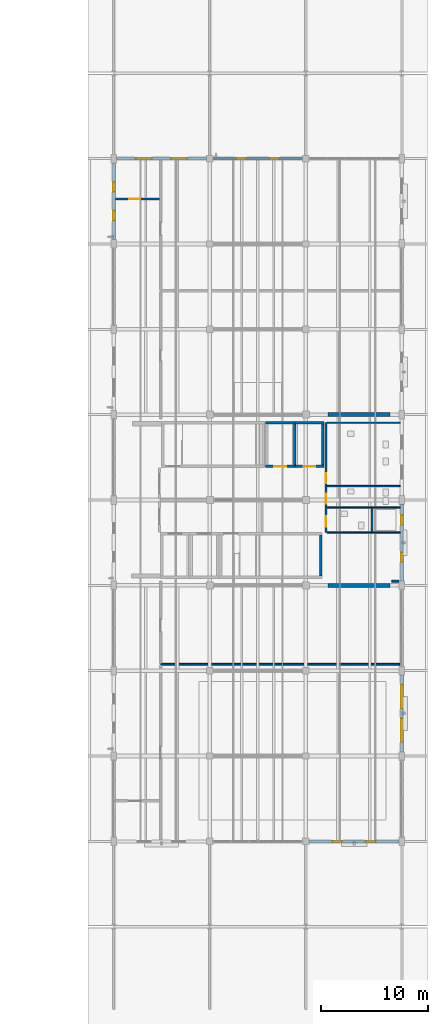
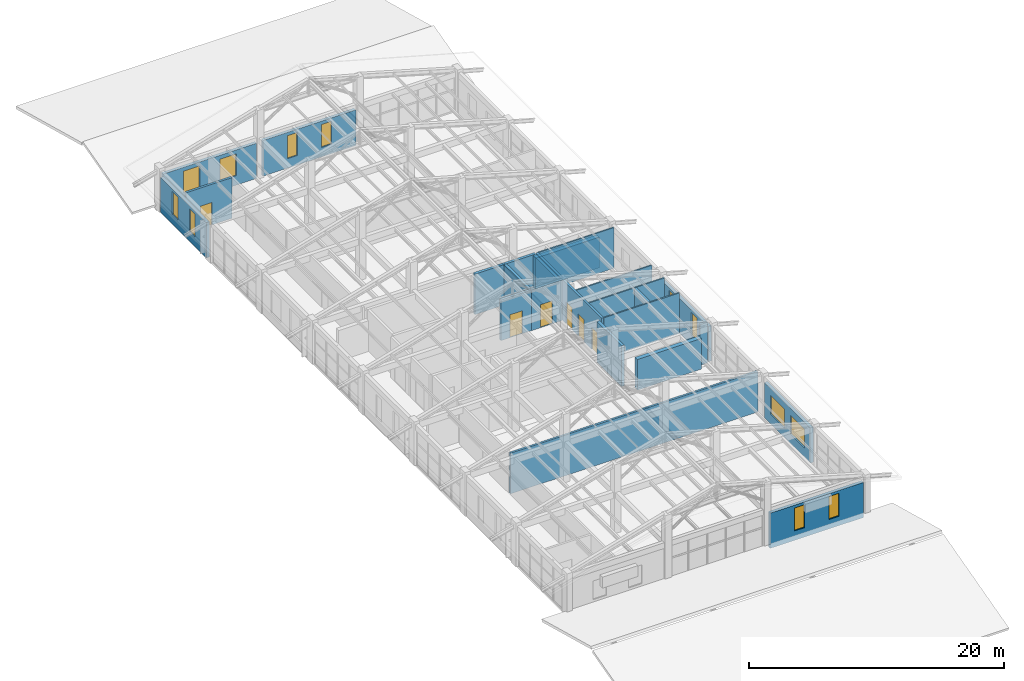
# One storey, part 48 of 58: 24 walls, 12 windows, 6 doors, 18 openings.
"""IFC4 building model written with IfcOpenShell, lengths in metres."""

import ifcopenshell
import ifcopenshell.guid

model = None  # the IFC model being written
_history = None  # IfcOwnerHistory: only IFC2X3 demands one
_inside = {}  # id of a spatial element -> (the spatial element, [elements in it])
_under = {}  # id of a project, library or spatial element -> (it, [spatial elements below it])
_declared = {}  # id of a project -> (the project, [libraries it declares])
_typed = {}  # id of a type object -> (the type object, [elements of that type])
_made_of = {}  # id of a material, layer set ... -> (it, [elements and type objects made of it])


def new_model(schema):
    """Start an empty IFC model of exactly this schema.

    Asked for "IFC4X3", IfcOpenShell would pick the latest addendum, in which some entities
    have other attributes; the version numbers below select the first issue.
    IFC2X3 requires an IfcOwnerHistory on every rooted entity: one is made here for all.
    """
    global model, _history
    if schema == "IFC4X3":
        model = ifcopenshell.file(schema_version=(4, 3, 0, 0))
    else:
        model = ifcopenshell.file(schema=schema)
    _inside.clear()
    _under.clear()
    _declared.clear()
    _typed.clear()
    _made_of.clear()
    _history = None
    if model.schema == "IFC2X3":
        org = make("IfcOrganization", Name="unknown")
        user = make(
            "IfcPersonAndOrganization",
            ThePerson=make("IfcPerson", FamilyName="unknown"),
            TheOrganization=org,
        )
        app = make(
            "IfcApplication",
            ApplicationDeveloper=org,
            Version="unknown",
            ApplicationFullName="unknown",
            ApplicationIdentifier="unknown",
        )
        _history = make(
            "IfcOwnerHistory",
            OwningUser=user,
            OwningApplication=app,
            ChangeAction="ADDED",
            CreationDate=0,
        )
    return model


def make(cls, **values):
    """One entity of the class cls with the attributes given. An attribute that is None is left unset."""
    return model.create_entity(
        cls, **{name: value for name, value in values.items() if value is not None}
    )


def rooted(cls, **values):
    """An entity with a GlobalId (a new one), such as an element, a storey or a relation."""
    return make(cls, GlobalId=ifcopenshell.guid.new(), OwnerHistory=_history, **values)


def si_unit(unit_type, name, prefix=None):
    """IfcSIUnit, for example si_unit("LENGTHUNIT", "METRE", prefix="MILLI")."""
    return make("IfcSIUnit", UnitType=unit_type, Prefix=prefix, Name=name)


def derived_unit(unit_type, elements):
    """IfcDerivedUnit: a product of units, each with its exponent."""
    return make(
        "IfcDerivedUnit",
        Elements=[
            make("IfcDerivedUnitElement", Unit=unit, Exponent=power)
            for unit, power in elements
        ],
        UnitType=unit_type,
    )


def assignment(units):
    """IfcUnitAssignment: the units of a project."""
    return None if units is None else make("IfcUnitAssignment", Units=units)


def point(xyz):
    """IfcCartesianPoint."""
    return None if xyz is None else make("IfcCartesianPoint", Coordinates=xyz)


def direction(xyz):
    """IfcDirection."""
    return None if xyz is None else make("IfcDirection", DirectionRatios=xyz)


def frame(location, z_axis=None, x_axis=None):
    """IfcAxis2Placement3D, a coordinate frame: its origin and axes. An axis left out is left unset."""
    return make(
        "IfcAxis2Placement3D",
        Location=point(location),
        Axis=direction(z_axis),
        RefDirection=direction(x_axis),
    )


def frame_2d(location, x_axis=None):
    """IfcAxis2Placement2D, a coordinate frame in the plane: its origin and x axis."""
    return make(
        "IfcAxis2Placement2D", Location=point(location), RefDirection=direction(x_axis)
    )


def origin():
    """The frame at (0, 0, 0) with its axes left unset."""
    return frame((0.0, 0.0, 0.0))


def place(relative_to, where):
    """IfcLocalPlacement: puts the frame where relative to a parent placement (None: the world)."""
    return make(
        "IfcLocalPlacement", PlacementRelTo=relative_to, RelativePlacement=where
    )


def context(
    kind, dimensions, precision=None, world=None, true_north=None, identifier=None
):
    """IfcGeometricRepresentationContext, for example the 3D "Model" context."""
    return make(
        "IfcGeometricRepresentationContext",
        ContextIdentifier=identifier,
        ContextType=kind,
        CoordinateSpaceDimension=dimensions,
        Precision=precision,
        WorldCoordinateSystem=world,
        TrueNorth=true_north,
    )


def subcontext(parent, identifier, kind, view, scale=None):
    """IfcGeometricRepresentationSubContext, for example "Body" below "Model"."""
    return make(
        "IfcGeometricRepresentationSubContext",
        ContextIdentifier=identifier,
        ContextType=kind,
        ParentContext=parent,
        TargetScale=scale,
        TargetView=view,
    )


def project(units=None, contexts=None):
    """IfcProject with its units and contexts."""
    return rooted(
        "IfcProject",
        Name="project",
        RepresentationContexts=contexts,
        UnitsInContext=assignment(units),
    )


def spatial(cls, under=None, at=None, **own):
    """A site, building, storey or space (cls), placed at a placement, below another one or the project."""
    s = rooted(cls, ObjectPlacement=at, **own)
    if under is not None:
        _under.setdefault(under.id(), (under, []))[1].append(s)
    return s


def profile(cls, at=None, kind="AREA", **sizes):
    """A parametric profile (cls). Its sizes go by their IFC names, for example OverallWidth=200.0."""
    return make(cls, ProfileType=kind, Position=at, **sizes)


def rectangle(**sizes):
    """IfcRectangleProfileDef."""
    return profile("IfcRectangleProfileDef", **sizes)


def extrude(swept, where, along, depth):
    """IfcExtrudedAreaSolid: the profile swept, set in the frame where, extruded along a direction by depth."""
    return make(
        "IfcExtrudedAreaSolid",
        SweptArea=swept,
        Position=where,
        ExtrudedDirection=direction(along),
        Depth=depth,
    )


def shape(context_of_items, identifier, shape_type, items):
    """IfcShapeRepresentation: the items that make up one representation, for example the "Body"."""
    return make(
        "IfcShapeRepresentation",
        ContextOfItems=context_of_items,
        RepresentationIdentifier=identifier,
        RepresentationType=shape_type,
        Items=items,
    )


def material(Name=None, Category=None):
    """IfcMaterial."""
    return make("IfcMaterial", Name=Name, Category=Category)


def layer(
    of_material, thickness, ventilated=None, Name=None, Category=None, Priority=None
):
    """IfcMaterialLayer: one layer of a wall or slab, of a material (None: an air gap)."""
    return make(
        "IfcMaterialLayer",
        Material=of_material,
        LayerThickness=thickness,
        IsVentilated=ventilated,
        Name=Name,
        Category=Category,
        Priority=Priority,
    )


def layer_set(layers, Name=None):
    """IfcMaterialLayerSet."""
    return make("IfcMaterialLayerSet", MaterialLayers=layers, LayerSetName=Name)


def made_of(thing, what):
    """Note that an element or type object is made of a material, layer set ...; save() writes the relation."""
    if what is not None:
        _made_of.setdefault(what.id(), (what, []))[1].append(thing)
    return thing


def type_object(cls, material=None, **own):
    """A type object (cls), such as IfcWallType, which elements share."""
    return made_of(rooted(cls, **own), material)


def element(
    cls,
    number,
    at=None,
    inside=None,
    cuts=None,
    type_object=None,
    material=None,
    context=None,
    identifier="Body",
    shape_type=None,
    held_by="IfcProductDefinitionShape",
    body=None,
    shapes=None,
    **own,
):
    """One element of the class cls, such as IfcWall. Its Tag is "e" and its number.

    at: its placement. inside: the storey or other place that contains it. cuts: it is an
    opening in that element (IfcRelVoidsElement). A single representation is given by context,
    identifier, shape_type and body (its items); several are given by shapes. held_by: the class
    of the entity that holds the representations. save() writes the other relations.
    """
    e = rooted(cls, Tag="e%d" % number, ObjectPlacement=at, **own)
    if body is not None:
        shapes = [shape(context, identifier, shape_type, body)]
    if shapes is not None:
        e.Representation = make(held_by, Representations=shapes)
    if inside is not None:
        _inside.setdefault(inside.id(), (inside, []))[1].append(e)
    if cuts is not None:
        rooted(
            "IfcRelVoidsElement", RelatingBuildingElement=cuts, RelatedOpeningElement=e
        )
    if type_object is not None:
        _typed.setdefault(type_object.id(), (type_object, []))[1].append(e)
    return made_of(e, material)


def fill(opening, filler):
    """IfcRelFillsElement: the door or window that sits in an opening."""
    return rooted(
        "IfcRelFillsElement",
        RelatingOpeningElement=opening,
        RelatedBuildingElement=filler,
    )


def aggregate(whole, parts):
    """IfcRelAggregates: a whole, such as a stair, and the parts it consists of."""
    return rooted("IfcRelAggregates", RelatingObject=whole, RelatedObjects=parts)


def save(model, path):
    """Write the relations noted so far, then the file.

    IfcRelAggregates (storeys below a building ...), IfcRelContainedInSpatialStructure (elements
    in a storey), IfcRelDefinesByType, IfcRelAssociatesMaterial and IfcRelDeclares: one each for
    every whole, place, type object, material and project.
    """
    for whole, parts in _under.values():
        aggregate(whole, parts)
    for where, things in _inside.values():
        rooted(
            "IfcRelContainedInSpatialStructure",
            RelatedElements=things,
            RelatingStructure=where,
        )
    for kind, things in _typed.values():
        rooted("IfcRelDefinesByType", RelatedObjects=things, RelatingType=kind)
    for what, things in _made_of.values():
        rooted("IfcRelAssociatesMaterial", RelatedObjects=things, RelatingMaterial=what)
    for by, libraries in _declared.values():
        rooted("IfcRelDeclares", RelatingContext=by, RelatedDefinitions=libraries)
    model.write(path)


model = new_model("IFC4")

# Units and contexts
model_context = context("Model", 3, precision=1e-05, world=origin(), true_north=direction((0.0, 1.0)))
body_context = subcontext(model_context, "Body", "Model", "MODEL_VIEW")
ifc_project = project(units=[si_unit("LENGTHUNIT", "METRE"), si_unit("AREAUNIT", "SQUARE_METRE"), si_unit("VOLUMEUNIT", "CUBIC_METRE"), si_unit("PLANEANGLEUNIT", "RADIAN"), si_unit("MASSUNIT", "GRAM", prefix="KILO"), derived_unit("THERMALTRANSMITTANCEUNIT", [(si_unit("MASSUNIT", "GRAM", prefix="KILO"), 1), (si_unit("TIMEUNIT", "SECOND"), -3), (si_unit("THERMODYNAMICTEMPERATUREUNIT", "KELVIN"), -1)])], contexts=[model_context])

# Site, building, storey
site_placement = place(None, origin())
site = spatial("IfcSite", under=ifc_project, at=site_placement, CompositionType="ELEMENT")
building_placement = place(site_placement, origin())
building = spatial("IfcBuilding", under=site, at=building_placement, Name="Zhenchuan Archway Interchange", CompositionType="ELEMENT")
storey_placement = place(building_placement, frame((0.0, 0.0, 22.800048828125)))
storey = spatial("IfcBuildingStorey", under=building, at=storey_placement, Name="L05", CompositionType="ELEMENT", Elevation=22.800048828125)

# Wall, openings, windows
ifc_material_1 = material(Name="Terracotta Masonry", Category="masonry")
ifc_layer_1 = layer(ifc_material_1, 0.280029296875)
ifc_layer_set_1 = layer_set([ifc_layer_1], Name="Terracotta Masonry")
wall_type_1 = type_object("IfcWallType", Name="EW_TERRA_280", PredefinedType="STANDARD", material=ifc_layer_set_1)
wall_1_placement = place(storey_placement, frame((170.751953125, 24.0, 0.0), z_axis=(0.0, 0.0, 1.0), x_axis=(-1.0, 0.0, 0.0)))
wall_1 = element("IfcWall", 1, at=wall_1_placement, inside=storey, type_object=wall_type_1, Name="Exterior wall L05-001", PredefinedType="STANDARD", context=body_context, shape_type="SweptSolid", body=[
    extrude(rectangle(XDim=8.453857421875, YDim=0.280029296875, at=frame_2d((4.22705078125, 0.0))), origin(), (0.0, 0.0, 1.0), 3.369873046875),
])
opening_1_placement = place(wall_1_placement, frame((2.218017578125, 0.0, 0.89990234375)))
opening_1 = element("IfcOpeningElement", 2, at=opening_1_placement, cuts=wall_1, Name="Opening W-12", PredefinedType="OPENING", context=body_context, shape_type="SweptSolid", body=[
    extrude(rectangle(XDim=0.89990234375, YDim=2.199951171875, at=frame_2d((0.449951171875, 1.10009765625))), frame((0.0, 0.15185546875, 0.0), z_axis=(0.0, -1.0, 0.0), x_axis=(1.0, 0.0, 0.0)), (0.0, 0.0, 1.0), 0.303955078125),
])
opening_2_placement = place(wall_1_placement, frame((5.3359375, 0.0, 0.89990234375)))
opening_2 = element("IfcOpeningElement", 3, at=opening_2_placement, cuts=wall_1, Name="Opening W-12", PredefinedType="OPENING", context=body_context, shape_type="SweptSolid", body=[
    extrude(rectangle(XDim=0.89990234375, YDim=2.199951171875, at=frame_2d((0.449951171875, 1.10009765625))), frame((0.0, 0.15185546875, 0.0), z_axis=(0.0, -1.0, 0.0), x_axis=(1.0, 0.0, 0.0)), (0.0, 0.0, 1.0), 0.303955078125),
])
ifc_material_2 = material(Name="Double Low-E Insulated Glazing", Category="glass")
window_type_1 = type_object("IfcWindowType", Name="WN_SLOT_900x2200", PartitioningType="SINGLE_PANEL", PredefinedType="WINDOW", material=ifc_material_2)
window_1_placement = place(opening_1_placement, origin())
window_1 = element("IfcWindow", 4, at=window_1_placement, inside=storey, type_object=window_type_1, Name="Window L05-0337", OverallHeight=2.199951171875, OverallWidth=0.89990234375, PartitioningType="SINGLE_PANEL", PredefinedType="WINDOW", context=body_context, shape_type="SweptSolid", body=[
    extrude(rectangle(XDim=0.89990234375, YDim=2.199951171875, at=frame_2d((0.449951171875, 1.10009765625))), frame((0.0, 0.030029296875, 0.0), z_axis=(0.0, -1.0, 0.0), x_axis=(1.0, 0.0, 0.0)), (0.0, 0.0, 1.0), 0.06005859375),
])
fill(opening_1, window_1)
window_2_placement = place(opening_2_placement, origin())
window_2 = element("IfcWindow", 5, at=window_2_placement, inside=storey, type_object=window_type_1, Name="Window L05-0338", OverallHeight=2.199951171875, OverallWidth=0.89990234375, PartitioningType="SINGLE_PANEL", PredefinedType="WINDOW", context=body_context, shape_type="SweptSolid", body=[
    extrude(rectangle(XDim=0.89990234375, YDim=2.199951171875, at=frame_2d((0.449951171875, 1.10009765625))), frame((0.0, 0.030029296875, 0.0), z_axis=(0.0, -1.0, 0.0), x_axis=(1.0, 0.0, 0.0)), (0.0, 0.0, 1.0), 0.06005859375),
])
fill(opening_2, window_2)

wall_2_placement = place(storey_placement, frame((144.0, 80.39794921875, 0.0), z_axis=(0.0, 0.0, 1.0), x_axis=(0.0, 1.0, 0.0)))
wall_2 = element("IfcWall", 6, at=wall_2_placement, inside=storey, type_object=wall_type_1, Name="Exterior wall L05-011", PredefinedType="STANDARD", context=body_context, shape_type="SweptSolid", body=[
    extrude(rectangle(XDim=7.2041015625, YDim=0.280029296875, at=frame_2d((3.60205078125, 0.0))), origin(), (0.0, 0.0, 1.0), 3.369873046875),
])
opening_3_placement = place(wall_2_placement, frame((1.80126953125, 0.0, 0.89990234375)))
opening_3 = element("IfcOpeningElement", 7, at=opening_3_placement, cuts=wall_2, Name="Opening W-12", PredefinedType="OPENING", context=body_context, shape_type="SweptSolid", body=[
    extrude(rectangle(XDim=0.89990234375, YDim=2.199951171875, at=frame_2d((0.449951171875, 1.10009765625))), frame((0.0, 0.15185546875, 0.0), z_axis=(0.0, -1.0, 0.0), x_axis=(1.0, 0.0, 0.0)), (0.0, 0.0, 1.0), 0.303955078125),
])
opening_4_placement = place(wall_2_placement, frame((4.502685546875, 0.0, 0.89990234375)))
opening_4 = element("IfcOpeningElement", 8, at=opening_4_placement, cuts=wall_2, Name="Opening W-12", PredefinedType="OPENING", context=body_context, shape_type="SweptSolid", body=[
    extrude(rectangle(XDim=0.89990234375, YDim=2.199951171875, at=frame_2d((0.449951171875, 1.10009765625))), frame((0.0, 0.15185546875, 0.0), z_axis=(0.0, -1.0, 0.0), x_axis=(1.0, 0.0, 0.0)), (0.0, 0.0, 1.0), 0.303955078125),
])
window_3_placement = place(opening_3_placement, origin())
window_3 = element("IfcWindow", 9, at=window_3_placement, inside=storey, type_object=window_type_1, Name="Window L05-0347", OverallHeight=2.199951171875, OverallWidth=0.89990234375, PartitioningType="SINGLE_PANEL", PredefinedType="WINDOW", context=body_context, shape_type="SweptSolid", body=[
    extrude(rectangle(XDim=0.89990234375, YDim=2.199951171875, at=frame_2d((0.449951171875, 1.10009765625))), frame((0.0, 0.030029296875, 0.0), z_axis=(0.0, -1.0, 0.0), x_axis=(1.0, 0.0, 0.0)), (0.0, 0.0, 1.0), 0.06005859375),
])
fill(opening_3, window_3)
window_4_placement = place(opening_4_placement, origin())
window_4 = element("IfcWindow", 10, at=window_4_placement, inside=storey, type_object=window_type_1, Name="Window L05-0348", OverallHeight=2.199951171875, OverallWidth=0.89990234375, PartitioningType="SINGLE_PANEL", PredefinedType="WINDOW", context=body_context, shape_type="SweptSolid", body=[
    extrude(rectangle(XDim=0.89990234375, YDim=2.199951171875, at=frame_2d((0.449951171875, 1.10009765625))), frame((0.0, 0.030029296875, 0.0), z_axis=(0.0, -1.0, 0.0), x_axis=(1.0, 0.0, 0.0)), (0.0, 0.0, 1.0), 0.06005859375),
])
fill(opening_4, window_4)

wall_3_placement = place(storey_placement, frame((144.248046875, 88.0, 0.0), z_axis=(0.0, 0.0, 1.0), x_axis=(1.0, 0.0, 0.0)))
wall_3 = element("IfcWall", 11, at=wall_3_placement, inside=storey, type_object=wall_type_1, Name="Exterior wall L05-012", PredefinedType="STANDARD", context=body_context, shape_type="SweptSolid", body=[
    extrude(rectangle(XDim=8.453857421875, YDim=0.280029296875, at=frame_2d((4.22705078125, 0.0))), origin(), (0.0, 0.0, 1.0), 3.369873046875),
])
opening_5_placement = place(wall_3_placement, frame((1.818115234375, 0.0, 0.89990234375)))
opening_5 = element("IfcOpeningElement", 12, at=opening_5_placement, cuts=wall_3, Name="Opening W-05", PredefinedType="OPENING", context=body_context, shape_type="SweptSolid", body=[
    extrude(rectangle(XDim=1.5, YDim=2.10009765625, at=frame_2d((0.75, 1.050048828125))), frame((0.0, 0.15185546875, 0.0), z_axis=(0.0, -1.0, 0.0), x_axis=(1.0, 0.0, 0.0)), (0.0, 0.0, 1.0), 0.303955078125),
])
opening_6_placement = place(wall_3_placement, frame((5.135986328125, 0.0, 0.89990234375)))
opening_6 = element("IfcOpeningElement", 13, at=opening_6_placement, cuts=wall_3, Name="Opening W-05", PredefinedType="OPENING", context=body_context, shape_type="SweptSolid", body=[
    extrude(rectangle(XDim=1.5, YDim=2.10009765625, at=frame_2d((0.75, 1.050048828125))), frame((0.0, 0.15185546875, 0.0), z_axis=(0.0, -1.0, 0.0), x_axis=(1.0, 0.0, 0.0)), (0.0, 0.0, 1.0), 0.303955078125),
])
window_type_2 = type_object("IfcWindowType", Name="WN_PUNCH_1500x2100", PartitioningType="SINGLE_PANEL", PredefinedType="WINDOW", material=ifc_material_2)
window_5_placement = place(opening_5_placement, origin())
window_5 = element("IfcWindow", 14, at=window_5_placement, inside=storey, type_object=window_type_2, Name="Window L05-0349", OverallHeight=2.10009765625, OverallWidth=1.5, PartitioningType="SINGLE_PANEL", PredefinedType="WINDOW", context=body_context, shape_type="SweptSolid", body=[
    extrude(rectangle(XDim=1.5, YDim=2.10009765625, at=frame_2d((0.75, 1.050048828125))), frame((0.0, 0.030029296875, 0.0), z_axis=(0.0, -1.0, 0.0), x_axis=(1.0, 0.0, 0.0)), (0.0, 0.0, 1.0), 0.06005859375),
])
fill(opening_5, window_5)
window_6_placement = place(opening_6_placement, origin())
window_6 = element("IfcWindow", 15, at=window_6_placement, inside=storey, type_object=window_type_2, Name="Window L05-0350", OverallHeight=2.10009765625, OverallWidth=1.5, PartitioningType="SINGLE_PANEL", PredefinedType="WINDOW", context=body_context, shape_type="SweptSolid", body=[
    extrude(rectangle(XDim=1.5, YDim=2.10009765625, at=frame_2d((0.75, 1.050048828125))), frame((0.0, 0.030029296875, 0.0), z_axis=(0.0, -1.0, 0.0), x_axis=(1.0, 0.0, 0.0)), (0.0, 0.0, 1.0), 0.06005859375),
])
fill(opening_6, window_6)

wall_4_placement = place(storey_placement, frame((153.298095703125, 88.0, 0.0), z_axis=(0.0, 0.0, 1.0), x_axis=(1.0, 0.0, 0.0)))
wall_4 = element("IfcWall", 16, at=wall_4_placement, inside=storey, type_object=wall_type_1, Name="Exterior wall L05-013", PredefinedType="STANDARD", context=body_context, shape_type="SweptSolid", body=[
    extrude(rectangle(XDim=8.40380859375, YDim=0.280029296875, at=frame_2d((4.201904296875, 0.0))), origin(), (0.0, 0.0, 1.0), 3.419921875),
])
opening_7_placement = place(wall_4_placement, frame((2.201416015625, 0.0, 0.89990234375)))
opening_7 = element("IfcOpeningElement", 17, at=opening_7_placement, cuts=wall_4, Name="Opening W-12", PredefinedType="OPENING", context=body_context, shape_type="SweptSolid", body=[
    extrude(rectangle(XDim=0.89990234375, YDim=2.199951171875, at=frame_2d((0.449951171875, 1.10009765625))), frame((0.0, 0.15185546875, 0.0), z_axis=(0.0, -1.0, 0.0), x_axis=(1.0, 0.0, 0.0)), (0.0, 0.0, 1.0), 0.303955078125),
])
opening_8_placement = place(wall_4_placement, frame((5.302734375, 0.0, 0.89990234375)))
opening_8 = element("IfcOpeningElement", 18, at=opening_8_placement, cuts=wall_4, Name="Opening W-12", PredefinedType="OPENING", context=body_context, shape_type="SweptSolid", body=[
    extrude(rectangle(XDim=0.89990234375, YDim=2.199951171875, at=frame_2d((0.449951171875, 1.10009765625))), frame((0.0, 0.15185546875, 0.0), z_axis=(0.0, -1.0, 0.0), x_axis=(1.0, 0.0, 0.0)), (0.0, 0.0, 1.0), 0.303955078125),
])
window_7_placement = place(opening_7_placement, origin())
window_7 = element("IfcWindow", 19, at=window_7_placement, inside=storey, type_object=window_type_1, Name="Window L05-0351", OverallHeight=2.199951171875, OverallWidth=0.89990234375, PartitioningType="SINGLE_PANEL", PredefinedType="WINDOW", context=body_context, shape_type="SweptSolid", body=[
    extrude(rectangle(XDim=0.89990234375, YDim=2.199951171875, at=frame_2d((0.449951171875, 1.10009765625))), frame((0.0, 0.030029296875, 0.0), z_axis=(0.0, -1.0, 0.0), x_axis=(1.0, 0.0, 0.0)), (0.0, 0.0, 1.0), 0.06005859375),
])
fill(opening_7, window_7)
window_8_placement = place(opening_8_placement, origin())
window_8 = element("IfcWindow", 20, at=window_8_placement, inside=storey, type_object=window_type_1, Name="Window L05-0352", OverallHeight=2.199951171875, OverallWidth=0.89990234375, PartitioningType="SINGLE_PANEL", PredefinedType="WINDOW", context=body_context, shape_type="SweptSolid", body=[
    extrude(rectangle(XDim=0.89990234375, YDim=2.199951171875, at=frame_2d((0.449951171875, 1.10009765625))), frame((0.0, 0.030029296875, 0.0), z_axis=(0.0, -1.0, 0.0), x_axis=(1.0, 0.0, 0.0)), (0.0, 0.0, 1.0), 0.06005859375),
])
fill(opening_8, window_8)

wall_5_placement = place(storey_placement, frame((171.0, 55.60205078125, 0.0), z_axis=(0.0, 0.0, 1.0), x_axis=(0.0, -1.0, 0.0)))
wall_5 = element("IfcWall", 21, at=wall_5_placement, inside=storey, type_object=wall_type_1, Name="Exterior wall L05-019", PredefinedType="STANDARD", context=body_context, shape_type="SweptSolid", body=[
    extrude(rectangle(XDim=7.2041015625, YDim=0.280029296875, at=frame_2d((3.60205078125, 0.0))), origin(), (0.0, 0.0, 1.0), 3.369873046875),
])
opening_9_placement = place(wall_5_placement, frame((1.027099609375, 0.0, 0.89990234375)))
opening_9 = element("IfcOpeningElement", 22, at=opening_9_placement, cuts=wall_5, Name="Opening W-12", PredefinedType="OPENING", context=body_context, shape_type="SweptSolid", body=[
    extrude(rectangle(XDim=0.89990234375, YDim=2.199951171875, at=frame_2d((0.449951171875, 1.10009765625))), frame((0.0, 0.15185546875, 0.0), z_axis=(0.0, -1.0, 0.0), x_axis=(1.0, 0.0, 0.0)), (0.0, 0.0, 1.0), 0.303955078125),
])
opening_10_placement = place(wall_5_placement, frame((4.502685546875, 0.0, 0.89990234375)))
opening_10 = element("IfcOpeningElement", 23, at=opening_10_placement, cuts=wall_5, Name="Opening W-12", PredefinedType="OPENING", context=body_context, shape_type="SweptSolid", body=[
    extrude(rectangle(XDim=0.89990234375, YDim=2.199951171875, at=frame_2d((0.449951171875, 1.10009765625))), frame((0.0, 0.15185546875, 0.0), z_axis=(0.0, -1.0, 0.0), x_axis=(1.0, 0.0, 0.0)), (0.0, 0.0, 1.0), 0.303955078125),
])
window_9_placement = place(opening_9_placement, origin())
window_9 = element("IfcWindow", 24, at=window_9_placement, inside=storey, type_object=window_type_1, Name="Window L05-0359", OverallHeight=2.199951171875, OverallWidth=0.89990234375, PartitioningType="SINGLE_PANEL", PredefinedType="WINDOW", context=body_context, shape_type="SweptSolid", body=[
    extrude(rectangle(XDim=0.89990234375, YDim=2.199951171875, at=frame_2d((0.449951171875, 1.10009765625))), frame((0.0, 0.030029296875, 0.0), z_axis=(0.0, -1.0, 0.0), x_axis=(1.0, 0.0, 0.0)), (0.0, 0.0, 1.0), 0.06005859375),
])
fill(opening_9, window_9)
window_10_placement = place(opening_10_placement, origin())
window_10 = element("IfcWindow", 25, at=window_10_placement, inside=storey, type_object=window_type_1, Name="Window L05-0360", OverallHeight=2.199951171875, OverallWidth=0.89990234375, PartitioningType="SINGLE_PANEL", PredefinedType="WINDOW", context=body_context, shape_type="SweptSolid", body=[
    extrude(rectangle(XDim=0.89990234375, YDim=2.199951171875, at=frame_2d((0.449951171875, 1.10009765625))), frame((0.0, 0.030029296875, 0.0), z_axis=(0.0, -1.0, 0.0), x_axis=(1.0, 0.0, 0.0)), (0.0, 0.0, 1.0), 0.06005859375),
])
fill(opening_10, window_10)

wall_6_placement = place(storey_placement, frame((171.0, 39.60205078125, 0.0), z_axis=(0.0, 0.0, 1.0), x_axis=(0.0, -1.0, 0.0)))
wall_6 = element("IfcWall", 26, at=wall_6_placement, inside=storey, type_object=wall_type_1, Name="Exterior wall L05-021", PredefinedType="STANDARD", context=body_context, shape_type="SweptSolid", body=[
    extrude(rectangle(XDim=7.2041015625, YDim=0.280029296875, at=frame_2d((3.60205078125, 0.0))), origin(), (0.0, 0.0, 1.0), 3.369873046875),
])
opening_11_placement = place(wall_6_placement, frame((0.934814453125, 0.0, 0.89990234375)))
opening_11 = element("IfcOpeningElement", 27, at=opening_11_placement, cuts=wall_6, Name="Opening W-08", PredefinedType="OPENING", context=body_context, shape_type="SweptSolid", body=[
    extrude(rectangle(XDim=2.199951171875, YDim=1.800048828125, at=frame_2d((1.10009765625, 0.89990234375))), frame((0.0, 0.15185546875, 0.0), z_axis=(0.0, -1.0, 0.0), x_axis=(1.0, 0.0, 0.0)), (0.0, 0.0, 1.0), 0.303955078125),
])
opening_12_placement = place(wall_6_placement, frame((4.0693359375, 0.0, 0.89990234375)))
opening_12 = element("IfcOpeningElement", 28, at=opening_12_placement, cuts=wall_6, Name="Opening W-08", PredefinedType="OPENING", context=body_context, shape_type="SweptSolid", body=[
    extrude(rectangle(XDim=2.199951171875, YDim=1.800048828125, at=frame_2d((1.10009765625, 0.89990234375))), frame((0.0, 0.15185546875, 0.0), z_axis=(0.0, -1.0, 0.0), x_axis=(1.0, 0.0, 0.0)), (0.0, 0.0, 1.0), 0.303955078125),
])
window_type_3 = type_object("IfcWindowType", Name="WN_MOD_2200x1800", PartitioningType="SINGLE_PANEL", PredefinedType="WINDOW", material=ifc_material_2)
window_11_placement = place(opening_11_placement, origin())
window_11 = element("IfcWindow", 29, at=window_11_placement, inside=storey, type_object=window_type_3, Name="Window L05-0361", OverallHeight=1.800048828125, OverallWidth=2.199951171875, PartitioningType="SINGLE_PANEL", PredefinedType="WINDOW", context=body_context, shape_type="SweptSolid", body=[
    extrude(rectangle(XDim=2.199951171875, YDim=1.800048828125, at=frame_2d((1.10009765625, 0.89990234375))), frame((0.0, 0.030029296875, 0.0), z_axis=(0.0, -1.0, 0.0), x_axis=(1.0, 0.0, 0.0)), (0.0, 0.0, 1.0), 0.06005859375),
])
fill(opening_11, window_11)
window_12_placement = place(opening_12_placement, origin())
window_12 = element("IfcWindow", 30, at=window_12_placement, inside=storey, type_object=window_type_3, Name="Window L05-0362", OverallHeight=1.800048828125, OverallWidth=2.199951171875, PartitioningType="SINGLE_PANEL", PredefinedType="WINDOW", context=body_context, shape_type="SweptSolid", body=[
    extrude(rectangle(XDim=2.199951171875, YDim=1.800048828125, at=frame_2d((1.10009765625, 0.89990234375))), frame((0.0, 0.030029296875, 0.0), z_axis=(0.0, -1.0, 0.0), x_axis=(1.0, 0.0, 0.0)), (0.0, 0.0, 1.0), 0.06005859375),
])
fill(opening_12, window_12)

# Walls
ifc_material_3 = material(Name="Concrete C50", Category="concrete")
ifc_layer_2 = layer(ifc_material_3, 0.3798828125)
ifc_layer_set_2 = layer_set([ifc_layer_2], Name="Concrete C50")
wall_type_2 = type_object("IfcWallType", Name="WL_CORE_380", PredefinedType="SHEAR", material=ifc_layer_set_2)
for number, where, z_axis, x_axis, name in (
    (31, (164.10009765625, 48.0, 0.0), (0.0, 0.0, 1.0), (1.0, 0.0, 0.0), "Operations lateral shear wall E-S (L05)"),
    (32, (164.10009765625, 64.0, 0.0), (0.0, 0.0, 1.0), (1.0, 0.0, 0.0), "Operations lateral shear wall E-N (L05)"),
):
    element("IfcWall", number, at=place(storey_placement, frame(where, z_axis=z_axis, x_axis=x_axis)), inside=storey, type_object=wall_type_2, Name=name, PredefinedType="SHEAR", context=body_context, shape_type="SweptSolid", body=[
        extrude(rectangle(XDim=5.7998046875, YDim=0.3798828125, at=frame_2d((2.89990234375, 0.0))), origin(), (0.0, 0.0, 1.0), 2.93994140625),
    ])

# Wall, openings, doors
ifc_material_4 = material(Name="Autoclaved Aerated Concrete Block", Category="concrete")
ifc_layer_3 = layer(ifc_material_4, 0.199951171875)
ifc_layer_set_3 = layer_set([ifc_layer_3], Name="Autoclaved Aerated Concrete Block")
wall_type_3 = type_object("IfcWallType", Name="WL_FIRE_200", PredefinedType="STANDARD", material=ifc_layer_set_3)
wall_7_placement = place(storey_placement, frame((163.89990234375, 52.949951171875, 0.0), z_axis=(0.0, 0.0, 1.0), x_axis=(0.0, 1.0, 0.0)))
wall_7 = element("IfcWall", 33, at=wall_7_placement, inside=storey, type_object=wall_type_3, Name="Sanitary block west wall (L05)", PredefinedType="STANDARD", context=body_context, shape_type="SweptSolid", body=[
    extrude(rectangle(XDim=10.300048828125, YDim=0.199951171875, at=frame_2d((5.14990234375, 0.0))), origin(), (0.0, 0.0, 1.0), 3.889892578125),
])
opening_13_placement = place(wall_7_placement, frame((0.550048828125, 0.0, 0.0)))
opening_13 = element("IfcOpeningElement", 34, at=opening_13_placement, cuts=wall_7, Name="Opening ID-02", PredefinedType="OPENING", context=body_context, shape_type="SweptSolid", body=[
    extrude(rectangle(XDim=1.0, YDim=2.10009765625, at=frame_2d((0.5, 1.050048828125))), frame((0.0, 0.11181640625, 0.0), z_axis=(0.0, -1.0, 0.0), x_axis=(1.0, 0.0, 0.0)), (0.0, 0.0, 1.0), 0.223876953125),
])
opening_14_placement = place(wall_7_placement, frame((2.699951171875, 0.0, 0.0)))
opening_14 = element("IfcOpeningElement", 35, at=opening_14_placement, cuts=wall_7, Name="Opening ID-03", PredefinedType="OPENING", context=body_context, shape_type="SweptSolid", body=[
    extrude(rectangle(XDim=0.949951171875, YDim=2.10009765625, at=frame_2d((0.47509765625, 1.050048828125))), frame((0.0, 0.11181640625, 0.0), z_axis=(0.0, -1.0, 0.0), x_axis=(1.0, 0.0, 0.0)), (0.0, 0.0, 1.0), 0.223876953125),
])
opening_15_placement = place(wall_7_placement, frame((4.60009765625, 0.0, 0.0)))
opening_15 = element("IfcOpeningElement", 36, at=opening_15_placement, cuts=wall_7, Name="Opening ID-03", PredefinedType="OPENING", context=body_context, shape_type="SweptSolid", body=[
    extrude(rectangle(XDim=0.949951171875, YDim=2.10009765625, at=frame_2d((0.47509765625, 1.050048828125))), frame((0.0, 0.11181640625, 0.0), z_axis=(0.0, -1.0, 0.0), x_axis=(1.0, 0.0, 0.0)), (0.0, 0.0, 1.0), 0.223876953125),
])
ifc_material_5 = material(Name="Hardwood Timber", Category="wood")
door_type_1 = type_object("IfcDoorType", Name="DR_OPS_100", OperationType="NOTDEFINED", PredefinedType="DOOR", material=ifc_material_5)
door_1_placement = place(opening_13_placement, origin())
door_1 = element("IfcDoor", 37, at=door_1_placement, inside=storey, type_object=door_type_1, Name="Accessible WC door (L05)", OperationType="SINGLE_SWING_RIGHT", OverallHeight=2.10009765625, OverallWidth=1.0, PredefinedType="DOOR", context=body_context, shape_type="SweptSolid", body=[
    extrude(rectangle(XDim=1.0, YDim=2.10009765625, at=frame_2d((0.5, 1.050048828125))), frame((0.0, 0.02490234375, 0.0), z_axis=(0.0, -1.0, 0.0), x_axis=(1.0, 0.0, 0.0)), (0.0, 0.0, 1.0), 0.050048828125),
])
fill(opening_13, door_1)
door_type_2 = type_object("IfcDoorType", Name="DR_WC_95", OperationType="NOTDEFINED", PredefinedType="DOOR", material=ifc_material_5)
door_2_placement = place(opening_14_placement, origin())
door_2 = element("IfcDoor", 38, at=door_2_placement, inside=storey, type_object=door_type_2, Name="Male toilet door (L05)", OperationType="SINGLE_SWING_LEFT", OverallHeight=2.10009765625, OverallWidth=0.949951171875, PredefinedType="DOOR", context=body_context, shape_type="SweptSolid", body=[
    extrude(rectangle(XDim=0.949951171875, YDim=2.10009765625, at=frame_2d((0.47509765625, 1.050048828125))), frame((0.0, 0.02490234375, 0.0), z_axis=(0.0, -1.0, 0.0), x_axis=(1.0, 0.0, 0.0)), (0.0, 0.0, 1.0), 0.050048828125),
])
fill(opening_14, door_2)
door_3_placement = place(opening_15_placement, origin())
door_3 = element("IfcDoor", 39, at=door_3_placement, inside=storey, type_object=door_type_2, Name="Female toilet door (L05)", OperationType="SINGLE_SWING_RIGHT", OverallHeight=2.10009765625, OverallWidth=0.949951171875, PredefinedType="DOOR", context=body_context, shape_type="SweptSolid", body=[
    extrude(rectangle(XDim=0.949951171875, YDim=2.10009765625, at=frame_2d((0.47509765625, 1.050048828125))), frame((0.0, 0.02490234375, 0.0), z_axis=(0.0, -1.0, 0.0), x_axis=(1.0, 0.0, 0.0)), (0.0, 0.0, 1.0), 0.050048828125),
])
fill(opening_15, door_3)

# Wall
wall_8_placement = place(storey_placement, frame((168.199951171875, 53.02001953125, 0.0), z_axis=(0.0, 0.0, 1.0), x_axis=(0.0, 1.0, 0.0)))
element("IfcWall", 40, at=wall_8_placement, inside=storey, type_object=wall_type_3, Name="MEP riser west fire wall (L05)", PredefinedType="STANDARD", context=body_context, shape_type="SweptSolid", body=[
    extrude(rectangle(XDim=2.2099609375, YDim=0.199951171875, at=frame_2d((1.10498046875, 0.0))), origin(), (0.0, 0.0, 1.0), 3.889892578125),
])

# Wall, opening, door
wall_9_placement = place(storey_placement, frame((144.155029296875, 84.199951171875, 0.0), z_axis=(0.0, 0.0, 1.0), x_axis=(1.0, 0.0, 0.0)))
wall_9 = element("IfcWall", 41, at=wall_9_placement, inside=storey, type_object=wall_type_3, Name="Command Wing Clean Power Plant Room S partition (L05)", PredefinedType="STANDARD", context=body_context, shape_type="SweptSolid", body=[
    extrude(rectangle(XDim=4.14501953125, YDim=0.199951171875, at=frame_2d((2.072509765625, 0.0))), origin(), (0.0, 0.0, 1.0), 3.889892578125),
])
opening_16_placement = place(wall_9_placement, frame((1.2900390625, 0.0, 0.0)))
opening_16 = element("IfcOpeningElement", 42, at=opening_16_placement, cuts=wall_9, Name="Opening FD-03", PredefinedType="OPENING", context=body_context, shape_type="SweptSolid", body=[
    extrude(rectangle(XDim=1.050048828125, YDim=2.14990234375, at=frame_2d((0.52490234375, 1.074951171875))), frame((0.0, 0.11181640625, 0.0), z_axis=(0.0, -1.0, 0.0), x_axis=(1.0, 0.0, 0.0)), (0.0, 0.0, 1.0), 0.223876953125),
])
ifc_material_6 = material(Name="Painted Galvanised Steel", Category="steel")
door_type_3 = type_object("IfcDoorType", Name="DR_PLANT_FD60_S", OperationType="NOTDEFINED", PredefinedType="DOOR", material=ifc_material_6)
door_4_placement = place(opening_16_placement, origin())
door_4 = element("IfcDoor", 43, at=door_4_placement, inside=storey, type_object=door_type_3, Name="Command Wing Clean Power Plant Room door (L05)", OperationType="SINGLE_SWING_RIGHT", OverallHeight=2.14990234375, OverallWidth=1.050048828125, PredefinedType="DOOR", context=body_context, shape_type="SweptSolid", body=[
    extrude(rectangle(XDim=1.050048828125, YDim=2.14990234375, at=frame_2d((0.52490234375, 1.074951171875))), frame((0.0, 0.02490234375, 0.0), z_axis=(0.0, -1.0, 0.0), x_axis=(1.0, 0.0, 0.0)), (0.0, 0.0, 1.0), 0.050048828125),
])
fill(opening_16, door_4)

ifc_material_7 = material(Name="Concrete C40", Category="concrete")
ifc_layer_4 = layer(ifc_material_7, 0.239990234375)
ifc_layer_set_4 = layer_set([ifc_layer_4], Name="Concrete C40")
wall_type_4 = type_object("IfcWallType", Name="WL_LIFT_240", PredefinedType="SHEAR", material=ifc_layer_set_4)
wall_10_placement = place(storey_placement, frame((158.22998046875, 59.14990234375, 0.0), z_axis=(0.0, 0.0, 1.0), x_axis=(1.0, 0.0, 0.0)))
wall_10 = element("IfcWall", 44, at=wall_10_placement, inside=storey, type_object=wall_type_4, Name="Lift LF-06 south shaft wall (L05)", PredefinedType="SHEAR", context=body_context, shape_type="SweptSolid", body=[
    extrude(rectangle(XDim=2.7451171875, YDim=0.239990234375, at=frame_2d((1.37255859375, 0.0))), origin(), (0.0, 0.0, 1.0), 3.889892578125),
])
opening_17_placement = place(wall_10_placement, frame((0.820068359375, 0.0, 0.0)))
opening_17 = element("IfcOpeningElement", 45, at=opening_17_placement, cuts=wall_10, Name="Opening LD-01", PredefinedType="OPENING", context=body_context, shape_type="SweptSolid", body=[
    extrude(rectangle(XDim=1.10009765625, YDim=2.199951171875, at=frame_2d((0.550048828125, 1.10009765625))), frame((0.0, 0.1318359375, 0.0), z_axis=(0.0, -1.0, 0.0), x_axis=(1.0, 0.0, 0.0)), (0.0, 0.0, 1.0), 0.263916015625),
])
ifc_material_8 = material(Name="Stainless Steel 304", Category="steel")
door_type_4 = type_object("IfcDoorType", Name="DR_LIFT_LD110", OperationType="DOUBLE_DOOR_SLIDING", PredefinedType="DOOR", material=ifc_material_8)
door_5_placement = place(opening_17_placement, origin())
door_5 = element("IfcDoor", 46, at=door_5_placement, inside=storey, type_object=door_type_4, Name="Lift LF-06 landing door (L05)", OperationType="DOUBLE_DOOR_SLIDING", OverallHeight=2.199951171875, OverallWidth=1.10009765625, PredefinedType="DOOR", context=body_context, shape_type="SweptSolid", body=[
    extrude(rectangle(XDim=1.10009765625, YDim=2.199951171875, at=frame_2d((0.550048828125, 1.10009765625))), frame((0.0, 0.02490234375, 0.0), z_axis=(0.0, -1.0, 0.0), x_axis=(1.0, 0.0, 0.0)), (0.0, 0.0, 1.0), 0.050048828125),
])
fill(opening_17, door_5)

# Walls
wall_11_placement = place(storey_placement, frame((160.97509765625, 63.25, 0.0), z_axis=(0.0, 0.0, 1.0), x_axis=(-1.0, 0.0, 0.0)))
element("IfcWall", 47, at=wall_11_placement, inside=storey, type_object=wall_type_4, Name="Lift LF-06 north shaft wall (L05)", PredefinedType="SHEAR", context=body_context, shape_type="SweptSolid", body=[
    extrude(rectangle(XDim=2.7451171875, YDim=0.239990234375, at=frame_2d((1.37255859375, 0.0))), origin(), (0.0, 0.0, 1.0), 3.889892578125),
])
wall_12_placement = place(storey_placement, frame((160.97509765625, 59.27001953125, 0.0), z_axis=(0.0, 0.0, 1.0), x_axis=(0.0, 1.0, 0.0)))
element("IfcWall", 48, at=wall_12_placement, inside=storey, type_object=wall_type_4, Name="Lift LF-06 east shaft wall (L05)", PredefinedType="SHEAR", context=body_context, shape_type="SweptSolid", body=[
    extrude(rectangle(XDim=3.85986328125, YDim=0.239990234375, at=frame_2d((1.929931640625, 0.0))), origin(), (0.0, 0.0, 1.0), 3.889892578125),
])

# Wall, opening, door
wall_13_placement = place(storey_placement, frame((160.97509765625, 59.14990234375, 0.0), z_axis=(0.0, 0.0, 1.0), x_axis=(1.0, 0.0, 0.0)))
wall_13 = element("IfcWall", 49, at=wall_13_placement, inside=storey, type_object=wall_type_4, Name="Lift LF-07 south shaft wall (L05)", PredefinedType="SHEAR", context=body_context, shape_type="SweptSolid", body=[
    extrude(rectangle(XDim=2.744873046875, YDim=0.239990234375, at=frame_2d((1.37255859375, 0.0))), origin(), (0.0, 0.0, 1.0), 3.889892578125),
])
opening_18_placement = place(wall_13_placement, frame((0.824951171875, 0.0, 0.0)))
opening_18 = element("IfcOpeningElement", 50, at=opening_18_placement, cuts=wall_13, Name="Opening LD-01", PredefinedType="OPENING", context=body_context, shape_type="SweptSolid", body=[
    extrude(rectangle(XDim=1.10009765625, YDim=2.199951171875, at=frame_2d((0.550048828125, 1.10009765625))), frame((0.0, 0.1318359375, 0.0), z_axis=(0.0, -1.0, 0.0), x_axis=(1.0, 0.0, 0.0)), (0.0, 0.0, 1.0), 0.263916015625),
])
door_6_placement = place(opening_18_placement, origin())
door_6 = element("IfcDoor", 51, at=door_6_placement, inside=storey, type_object=door_type_4, Name="Lift LF-07 landing door (L05)", OperationType="DOUBLE_DOOR_SLIDING", OverallHeight=2.199951171875, OverallWidth=1.10009765625, PredefinedType="DOOR", context=body_context, shape_type="SweptSolid", body=[
    extrude(rectangle(XDim=1.10009765625, YDim=2.199951171875, at=frame_2d((0.550048828125, 1.10009765625))), frame((0.0, 0.02490234375, 0.0), z_axis=(0.0, -1.0, 0.0), x_axis=(1.0, 0.0, 0.0)), (0.0, 0.0, 1.0), 0.050048828125),
])
fill(opening_18, door_6)

# Walls
wall_14_placement = place(storey_placement, frame((163.719970703125, 63.25, 0.0), z_axis=(0.0, 0.0, 1.0), x_axis=(-1.0, 0.0, 0.0)))
element("IfcWall", 52, at=wall_14_placement, inside=storey, type_object=wall_type_4, Name="Lift LF-07 north shaft wall (L05)", PredefinedType="SHEAR", context=body_context, shape_type="SweptSolid", body=[
    extrude(rectangle(XDim=2.744873046875, YDim=0.239990234375, at=frame_2d((1.37255859375, 0.0))), origin(), (0.0, 0.0, 1.0), 3.889892578125),
])
wall_15_placement = place(storey_placement, frame((163.60009765625, 59.27001953125, 0.0), z_axis=(0.0, 0.0, 1.0), x_axis=(0.0, 1.0, 0.0)))
element("IfcWall", 53, at=wall_15_placement, inside=storey, type_object=wall_type_4, Name="Lift LF-07 east shaft wall (L05)", PredefinedType="SHEAR", context=body_context, shape_type="SweptSolid", body=[
    extrude(rectangle(XDim=3.85986328125, YDim=0.239990234375, at=frame_2d((1.929931640625, 0.0))), origin(), (0.0, 0.0, 1.0), 3.889892578125),
])
ifc_material_9 = material(Name="Concrete Block Masonry", Category="masonry")
ifc_layer_5 = layer(ifc_material_9, 0.179931640625)
ifc_layer_set_5 = layer_set([ifc_layer_5], Name="Concrete Block Masonry")
wall_type_5 = type_object("IfcWallType", Name="WL_PART_180", PredefinedType="STANDARD", material=ifc_layer_set_5)
wall_16_placement = place(storey_placement, frame((148.39990234375, 40.60009765625, 0.0), z_axis=(0.0, 0.0, 1.0), x_axis=(1.0, 0.0, 0.0)))
element("IfcWall", 54, at=wall_16_placement, inside=storey, type_object=wall_type_5, Name="Station Operations Control Room N partition (L05)", PredefinedType="STANDARD", context=body_context, shape_type="SweptSolid", body=[
    extrude(rectangle(XDim=22.400146484375, YDim=0.179931640625, at=frame_2d((11.2001953125, 0.0))), origin(), (0.0, 0.0, 1.0), 3.889892578125),
])
wall_17_placement = place(storey_placement, frame((170.050048828125, 48.39990234375, 0.0), z_axis=(0.0, 0.0, 1.0), x_axis=(1.0, 0.0, 0.0)))
element("IfcWall", 55, at=wall_17_placement, inside=storey, type_object=wall_type_5, Name="Command Video Wall Observation Gallery N partition (L05)", PredefinedType="STANDARD", context=body_context, shape_type="SweptSolid", body=[
    extrude(rectangle(XDim=0.675048828125, YDim=0.179931640625, at=frame_2d((0.33740234375, 0.0))), origin(), (0.0, 0.0, 1.0), 3.889892578125),
])
ifc_layer_6 = layer(ifc_material_7, 0.25)
ifc_layer_set_6 = layer_set([ifc_layer_6], Name="Concrete C40")
wall_type_6 = type_object("IfcWallType", Name="WL_STAIR_250", PredefinedType="SHEAR", material=ifc_layer_set_6)
wall_18_placement = place(storey_placement, frame((163.39990234375, 48.875, 0.0), z_axis=(0.0, 0.0, 1.0), x_axis=(0.0, 1.0, 0.0)))
element("IfcWall", 56, at=wall_18_placement, inside=storey, type_object=wall_type_6, Name="Stair ST-O2 east wall (L05)", PredefinedType="SHEAR", context=body_context, shape_type="SweptSolid", body=[
    extrude(rectangle(XDim=3.85009765625, YDim=0.25, at=frame_2d((1.925048828125, 0.0))), origin(), (0.0, 0.0, 1.0), 3.889892578125),
])
ifc_material_10 = material(Name="Gypsum Plasterboard", Category="gypsum")
ifc_layer_7 = layer(ifc_material_10, 0.1201171875)
ifc_layer_set_7 = layer_set([ifc_layer_7], Name="Gypsum Plasterboard")
wall_type_7 = type_object("IfcWallType", Name="WL_WC_120", PredefinedType="STANDARD", material=ifc_layer_set_7)
for number, where, z_axis, x_axis, name in (
    (57, (164.010009765625, 52.949951171875, 0.0), (0.0, 0.0, 1.0), (1.0, 0.0, 0.0), "Sanitary divider S (L05)"),
    (58, (164.010009765625, 55.300048828125, 0.0), (0.0, 0.0, 1.0), (1.0, 0.0, 0.0), "Sanitary divider AM (L05)"),
    (59, (164.010009765625, 57.300048828125, 0.0), (0.0, 0.0, 1.0), (1.0, 0.0, 0.0), "Sanitary divider MF (L05)"),
    (60, (164.010009765625, 63.25, 0.0), (0.0, 0.0, 1.0), (1.0, 0.0, 0.0), "Sanitary divider FN (L05)"),
):
    element("IfcWall", number, at=place(storey_placement, frame(where, z_axis=z_axis, x_axis=x_axis)), inside=storey, type_object=wall_type_7, Name=name, PredefinedType="STANDARD", context=body_context, shape_type="SweptSolid", body=[
        extrude(rectangle(XDim=6.8349609375, YDim=0.1201171875, at=frame_2d((3.41748046875, 0.0))), origin(), (0.0, 0.0, 1.0), 3.889892578125),
    ])

save(model, "model.ifc")
